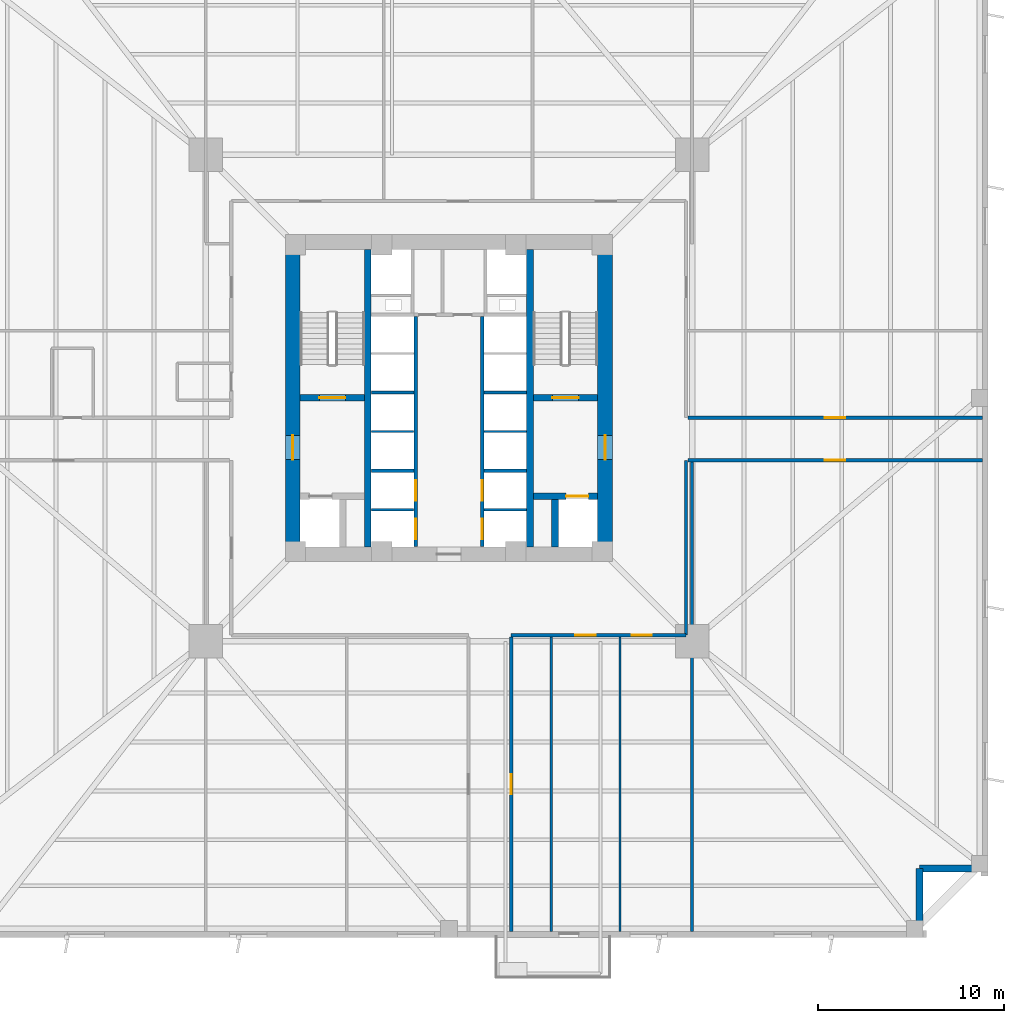
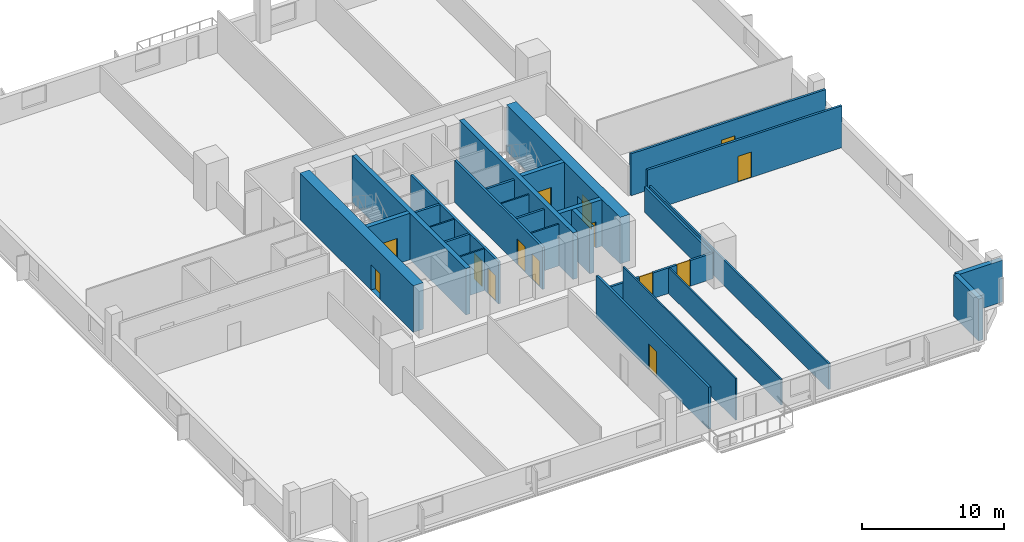
# One storey, part 3 of 8: 28 walls, 14 doors, 14 openings.
"""IFC4 building model written with IfcOpenShell, lengths in metres."""

from ifc_helpers import new_model, si_unit, direction, frame, frame_2d, origin, place, context, subcontext, project, spatial, rectangle, extrude, source, transform, mapped, material, layer, layer_set, type_object, element, fill, save


model = new_model("IFC4")

# Units and contexts
model_context = context("Model", 3, precision=1e-05, world=origin(), true_north=direction((0.0, 1.0)))
body_context = subcontext(model_context, "Body", "Model", "MODEL_VIEW")
ifc_project = project(units=[si_unit("LENGTHUNIT", "METRE"), si_unit("AREAUNIT", "SQUARE_METRE"), si_unit("VOLUMEUNIT", "CUBIC_METRE"), si_unit("PLANEANGLEUNIT", "RADIAN"), si_unit("MASSUNIT", "GRAM", prefix="KILO"), si_unit("THERMODYNAMICTEMPERATUREUNIT", "KELVIN")], contexts=[model_context])

# Site, building, storey
site_placement = place(None, origin())
site = spatial("IfcSite", under=ifc_project, at=site_placement, CompositionType="ELEMENT")
building_placement = place(site_placement, origin())
building = spatial("IfcBuilding", under=site, at=building_placement, Name="Kosmvard Interchange Tower", CompositionType="ELEMENT")
storey_placement = place(building_placement, frame((0.0, 0.0, 74.0)))
storey = spatial("IfcBuildingStorey", under=building, at=storey_placement, Name="L17", CompositionType="ELEMENT", Elevation=74.0)

# Wall
ifc_material_1 = material(Name="Acoustic gypsum partition system")
ifc_layer_1 = layer(ifc_material_1, 0.14990234375, Name="Acoustic gypsum partition system")
ifc_layer_set_1 = layer_set([ifc_layer_1], Name="Acoustic gypsum partition system")
wall_type_1 = type_object("IfcWallType", Name="Acoustic Suite & Meeting Partition 150", PredefinedType="PARTITIONING", material=ifc_layer_set_1)
wall_1_placement = place(storey_placement, frame((13.0810546875, -28.68505859375, 0.0), z_axis=(0.0, 0.0, 1.0), x_axis=(0.0, 1.0, 0.0)))
element("IfcWall", 1, at=wall_1_placement, inside=storey, type_object=wall_type_1, Name="L17 Room Partition 11.1", PredefinedType="PARTITIONING", context=body_context, shape_type="SweptSolid", body=[
    extrude(rectangle(XDim=25.239990234375, YDim=0.14990234375, at=frame_2d((12.6201171875, 0.0))), origin(), (0.0, 0.0, 1.0), 2.199951171875),
])

# Wall, openings, doors
ifc_material_2 = material(Name="Fire-rated gypsum partition system")
ifc_layer_2 = layer(ifc_material_2, 0.179931640625, Name="Fire-rated gypsum partition system")
ifc_layer_set_2 = layer_set([ifc_layer_2], Name="Fire-rated gypsum partition system")
wall_type_2 = type_object("IfcWallType", Name="Corridor & Hotel Compartment Partition 180", PredefinedType="PARTITIONING", material=ifc_layer_set_2)
wall_2_placement = place(storey_placement, frame((-1.7900390625, -7.97998046875, 0.0), z_axis=(0.0, 0.0, 1.0), x_axis=(0.0, 1.0, 0.0)))
wall_2 = element("IfcWall", 2, at=wall_2_placement, inside=storey, type_object=wall_type_2, Name="L17 West Lift Bank Front Wall", PredefinedType="PARTITIONING", context=body_context, shape_type="SweptSolid", body=[
    extrude(rectangle(XDim=12.3798828125, YDim=0.179931640625, at=frame_2d((6.18994140625, 0.0))), origin(), (0.0, 0.0, 1.0), 3.60009765625),
])
opening_1_placement = place(wall_2_placement, frame((0.39990234375, 0.0, 0.0)))
opening_1 = element("IfcOpeningElement", 3, at=opening_1_placement, cuts=wall_2, Name="Opening LD-PL-L1-L17", PredefinedType="OPENING", context=body_context, shape_type="SweptSolid", body=[
    extrude(rectangle(XDim=1.10009765625, YDim=2.199951171875, at=frame_2d((0.550048828125, 1.10009765625))), frame((0.0, 0.10009765625, 0.0), z_axis=(0.0, -1.0, 0.0), x_axis=(1.0, 0.0, 0.0)), (0.0, 0.0, 1.0), 0.199951171875),
])
opening_2_placement = place(wall_2_placement, frame((2.4599609375, 0.0, 0.0)))
opening_2 = element("IfcOpeningElement", 4, at=opening_2_placement, cuts=wall_2, Name="Opening LD-PL-L2-L17", PredefinedType="OPENING", context=body_context, shape_type="SweptSolid", body=[
    extrude(rectangle(XDim=1.10009765625, YDim=2.199951171875, at=frame_2d((0.550048828125, 1.10009765625))), frame((0.0, 0.10009765625, 0.0), z_axis=(0.0, -1.0, 0.0), x_axis=(1.0, 0.0, 0.0)), (0.0, 0.0, 1.0), 0.199951171875),
])
ifc_material_3 = material(Name="Brushed stainless steel sliding leaf", Category="steel")
door_type_1 = type_object("IfcDoorType", Name="Passenger Lift Sliding Landing Door 1100x2200 EI60", OperationType="DOUBLE_DOOR_SLIDING", PredefinedType="DOOR", material=ifc_material_3)
shared_shape_1 = source(origin(), body_context, "Body", "SweptSolid", [
    extrude(rectangle(XDim=1.10009765625, YDim=2.199951171875, at=frame_2d((0.550048828125, 1.10009765625))), frame((0.0, 0.02490234375, 0.0), z_axis=(0.0, -1.0, 0.0), x_axis=(1.0, 0.0, 0.0)), (0.0, 0.0, 1.0), 0.050048828125),
])
door_1_placement = place(opening_1_placement, frame((1.10009765625, 0.0, 0.0), z_axis=(0.0, 0.0, 1.0), x_axis=(-1.0, 0.0, 0.0)))
door_1 = element("IfcDoor", 5, at=door_1_placement, inside=storey, type_object=door_type_1, Name="Lift PL-L1 Landing Door L17", OperationType="DOUBLE_DOOR_SLIDING", OverallHeight=2.199951171875, OverallWidth=1.10009765625, PredefinedType="DOOR", context=body_context, shape_type="MappedRepresentation", body=[
    mapped(shared_shape_1, transform((0.0, 0.0, 0.0), scale=1.0)),
])
fill(opening_1, door_1)
door_2_placement = place(opening_2_placement, frame((1.10009765625, 0.0, 0.0), z_axis=(0.0, 0.0, 1.0), x_axis=(-1.0, 0.0, 0.0)))
door_2 = element("IfcDoor", 6, at=door_2_placement, inside=storey, type_object=door_type_1, Name="Lift PL-L2 Landing Door L17", OperationType="DOUBLE_DOOR_SLIDING", OverallHeight=2.199951171875, OverallWidth=1.10009765625, PredefinedType="DOOR", context=body_context, shape_type="MappedRepresentation", body=[
    mapped(shared_shape_1, transform((0.0, 0.0, 0.0), scale=1.0)),
])
fill(opening_2, door_2)

wall_3_placement = place(storey_placement, frame((1.7900390625, -7.97998046875, 0.0), z_axis=(0.0, 0.0, 1.0), x_axis=(0.0, 1.0, 0.0)))
wall_3 = element("IfcWall", 7, at=wall_3_placement, inside=storey, type_object=wall_type_2, Name="L17 East Lift Bank Front Wall", PredefinedType="PARTITIONING", context=body_context, shape_type="SweptSolid", body=[
    extrude(rectangle(XDim=12.3798828125, YDim=0.179931640625, at=frame_2d((6.18994140625, 0.0))), origin(), (0.0, 0.0, 1.0), 3.60009765625),
])
opening_3_placement = place(wall_3_placement, frame((0.39990234375, 0.0, 0.0)))
opening_3 = element("IfcOpeningElement", 8, at=opening_3_placement, cuts=wall_3, Name="Opening LD-PL-L3-L17", PredefinedType="OPENING", context=body_context, shape_type="SweptSolid", body=[
    extrude(rectangle(XDim=1.10009765625, YDim=2.199951171875, at=frame_2d((0.550048828125, 1.10009765625))), frame((0.0, 0.10009765625, 0.0), z_axis=(0.0, -1.0, 0.0), x_axis=(1.0, 0.0, 0.0)), (0.0, 0.0, 1.0), 0.199951171875),
])
opening_4_placement = place(wall_3_placement, frame((2.4599609375, 0.0, 0.0)))
opening_4 = element("IfcOpeningElement", 9, at=opening_4_placement, cuts=wall_3, Name="Opening LD-PL-L4-L17", PredefinedType="OPENING", context=body_context, shape_type="SweptSolid", body=[
    extrude(rectangle(XDim=1.10009765625, YDim=2.199951171875, at=frame_2d((0.550048828125, 1.10009765625))), frame((0.0, 0.10009765625, 0.0), z_axis=(0.0, -1.0, 0.0), x_axis=(1.0, 0.0, 0.0)), (0.0, 0.0, 1.0), 0.199951171875),
])
door_3_placement = place(opening_3_placement, origin())
door_3 = element("IfcDoor", 10, at=door_3_placement, inside=storey, type_object=door_type_1, Name="Lift PL-L3 Landing Door L17", OperationType="DOUBLE_DOOR_SLIDING", OverallHeight=2.199951171875, OverallWidth=1.10009765625, PredefinedType="DOOR", context=body_context, shape_type="MappedRepresentation", body=[
    mapped(shared_shape_1, transform((0.0, 0.0, 0.0), scale=1.0)),
])
fill(opening_3, door_3)
door_4_placement = place(opening_4_placement, origin())
door_4 = element("IfcDoor", 11, at=door_4_placement, inside=storey, type_object=door_type_1, Name="Lift PL-L4 Landing Door L17", OperationType="DOUBLE_DOOR_SLIDING", OverallHeight=2.199951171875, OverallWidth=1.10009765625, PredefinedType="DOOR", context=body_context, shape_type="MappedRepresentation", body=[
    mapped(shared_shape_1, transform((0.0, 0.0, 0.0), scale=1.0)),
])
fill(opening_4, door_4)

wall_4_placement = place(storey_placement, frame((3.35009765625, -12.75, 0.0), z_axis=(0.0, 0.0, 1.0), x_axis=(1.0, 0.0, 0.0)))
wall_4 = element("IfcWall", 12, at=wall_4_placement, inside=storey, type_object=wall_type_2, Name="L17 Corridor Wall CSE", PredefinedType="PARTITIONING", context=body_context, shape_type="SweptSolid", body=[
    extrude(rectangle(XDim=9.39990234375, YDim=0.179931640625, at=frame_2d((4.699951171875, 0.0))), origin(), (0.0, 0.0, 1.0), 2.199951171875),
])
opening_5_placement = place(wall_4_placement, frame((3.449951171875, 0.0, 0.0)))
opening_5 = element("IfcOpeningElement", 13, at=opening_5_placement, cuts=wall_4, Name="Opening L17-D11", PredefinedType="OPENING", context=body_context, shape_type="SweptSolid", body=[
    extrude(rectangle(XDim=1.10009765625, YDim=2.199951171875, at=frame_2d((0.550048828125, 1.10009765625))), frame((0.0, 0.10009765625, 0.0), z_axis=(0.0, -1.0, 0.0), x_axis=(1.0, 0.0, 0.0)), (0.0, 0.0, 1.0), 0.199951171875),
])
opening_6_placement = place(wall_4_placement, frame((6.470458984375, 0.0, 0.0)))
opening_6 = element("IfcOpeningElement", 14, at=opening_6_placement, cuts=wall_4, Name="Opening L17-D12", PredefinedType="OPENING", context=body_context, shape_type="SweptSolid", body=[
    extrude(rectangle(XDim=1.10009765625, YDim=2.199951171875, at=frame_2d((0.550048828125, 1.10009765625))), frame((0.0, 0.10009765625, 0.0), z_axis=(0.0, -1.0, 0.0), x_axis=(1.0, 0.0, 0.0)), (0.0, 0.0, 1.0), 0.199951171875),
])
ifc_material_4 = material(Name="Engineered oak fire-rated timber", Category="wood")
door_type_2 = type_object("IfcDoorType", Name="Office Suite Entrance Door 1100x2200 FD30S", OperationType="NOTDEFINED", PredefinedType="DOOR", material=ifc_material_4)
door_5_placement = place(opening_5_placement, frame((1.10009765625, 0.0, 0.0), z_axis=(0.0, 0.0, 1.0), x_axis=(-1.0, 0.0, 0.0)))
door_5 = element("IfcDoor", 15, at=door_5_placement, inside=storey, type_object=door_type_2, Name="L17 Equipment Store 2 Door", OperationType="SINGLE_SWING_LEFT", OverallHeight=2.199951171875, OverallWidth=1.10009765625, PredefinedType="DOOR", context=body_context, shape_type="MappedRepresentation", body=[
    mapped(shared_shape_1, transform((0.0, 0.0, 0.0), scale=1.0)),
])
fill(opening_5, door_5)
door_6_placement = place(opening_6_placement, frame((1.10009765625, 0.0, 0.0), z_axis=(0.0, 0.0, 1.0), x_axis=(-1.0, 0.0, 0.0)))
door_6 = element("IfcDoor", 16, at=door_6_placement, inside=storey, type_object=door_type_2, Name="L17 Archive Store 3 Door", OperationType="SINGLE_SWING_RIGHT", OverallHeight=2.199951171875, OverallWidth=1.10009765625, PredefinedType="DOOR", context=body_context, shape_type="MappedRepresentation", body=[
    mapped(shared_shape_1, transform((0.0, 0.0, 0.0), scale=1.0)),
])
fill(opening_6, door_6)

# Wall
wall_5_placement = place(storey_placement, frame((12.75, -12.75, 0.0), z_axis=(0.0, 0.0, 1.0), x_axis=(0.0, 1.0, 0.0)))
element("IfcWall", 17, at=wall_5_placement, inside=storey, type_object=wall_type_2, Name="L17 Corridor Wall CES", PredefinedType="PARTITIONING", context=body_context, shape_type="SweptSolid", body=[
    extrude(rectangle(XDim=9.39990234375, YDim=0.179931640625, at=frame_2d((4.699951171875, 0.0))), origin(), (0.0, 0.0, 1.0), 2.199951171875),
])

# Wall, opening, door
wall_6_placement = place(storey_placement, frame((12.85009765625, -3.35009765625, 0.0), z_axis=(0.0, 0.0, 1.0), x_axis=(1.0, 0.0, 0.0)))
wall_6 = element("IfcWall", 18, at=wall_6_placement, inside=storey, type_object=wall_type_2, Name="L17 Corridor Wall SES", PredefinedType="PARTITIONING", context=body_context, shape_type="SweptSolid", body=[
    extrude(rectangle(XDim=15.8349609375, YDim=0.179931640625, at=frame_2d((7.91748046875, 0.0))), origin(), (0.0, 0.0, 1.0), 3.60009765625),
])
opening_7_placement = place(wall_6_placement, frame((7.367431640625, 0.0, 0.0)))
opening_7 = element("IfcOpeningElement", 19, at=opening_7_placement, cuts=wall_6, Name="Opening L17-D13", PredefinedType="OPENING", context=body_context, shape_type="SweptSolid", body=[
    extrude(rectangle(XDim=1.10009765625, YDim=2.199951171875, at=frame_2d((0.550048828125, 1.10009765625))), frame((0.0, 0.10009765625, 0.0), z_axis=(0.0, -1.0, 0.0), x_axis=(1.0, 0.0, 0.0)), (0.0, 0.0, 1.0), 0.199951171875),
])
door_7_placement = place(opening_7_placement, frame((1.10009765625, 0.0, 0.0), z_axis=(0.0, 0.0, 1.0), x_axis=(-1.0, 0.0, 0.0)))
door_7 = element("IfcDoor", 20, at=door_7_placement, inside=storey, type_object=door_type_2, Name="L17 South-East Open Studio Door", OperationType="SINGLE_SWING_LEFT", OverallHeight=2.199951171875, OverallWidth=1.10009765625, PredefinedType="DOOR", context=body_context, shape_type="MappedRepresentation", body=[
    mapped(shared_shape_1, transform((0.0, 0.0, 0.0), scale=1.0)),
])
fill(opening_7, door_7)

wall_7_placement = place(storey_placement, frame((12.85009765625, -1.050048828125, 0.0), z_axis=(0.0, 0.0, 1.0), x_axis=(1.0, 0.0, 0.0)))
wall_7 = element("IfcWall", 21, at=wall_7_placement, inside=storey, type_object=wall_type_2, Name="L17 Corridor Wall SEN", PredefinedType="PARTITIONING", context=body_context, shape_type="SweptSolid", body=[
    extrude(rectangle(XDim=15.8349609375, YDim=0.179931640625, at=frame_2d((7.91748046875, 0.0))), origin(), (0.0, 0.0, 1.0), 3.60009765625),
])
opening_8_placement = place(wall_7_placement, frame((7.367431640625, 0.0, 0.0)))
opening_8 = element("IfcOpeningElement", 22, at=opening_8_placement, cuts=wall_7, Name="Opening L17-D08", PredefinedType="OPENING", context=body_context, shape_type="SweptSolid", body=[
    extrude(rectangle(XDim=1.10009765625, YDim=2.199951171875, at=frame_2d((0.550048828125, 1.10009765625))), frame((0.0, 0.10009765625, 0.0), z_axis=(0.0, -1.0, 0.0), x_axis=(1.0, 0.0, 0.0)), (0.0, 0.0, 1.0), 0.199951171875),
])
door_8_placement = place(opening_8_placement, origin())
door_8 = element("IfcDoor", 23, at=door_8_placement, inside=storey, type_object=door_type_2, Name="L17 East Operations Office 1 Door", OperationType="SINGLE_SWING_RIGHT", OverallHeight=2.199951171875, OverallWidth=1.10009765625, PredefinedType="DOOR", context=body_context, shape_type="MappedRepresentation", body=[
    mapped(shared_shape_1, transform((0.0, 0.0, 0.0), scale=1.0)),
])
fill(opening_8, door_8)

wall_8_placement = place(storey_placement, frame((3.35009765625, -28.68505859375, 0.0), z_axis=(0.0, 0.0, 1.0), x_axis=(0.0, 1.0, 0.0)))
wall_8 = element("IfcWall", 24, at=wall_8_placement, inside=storey, type_object=wall_type_2, Name="L17 Corridor Wall SSE", PredefinedType="PARTITIONING", context=body_context, shape_type="SweptSolid", body=[
    extrude(rectangle(XDim=15.8349609375, YDim=0.179931640625, at=frame_2d((7.91748046875, 0.0))), origin(), (0.0, 0.0, 1.0), 3.60009765625),
])
opening_9_placement = place(wall_8_placement, frame((7.367431640625, 0.0, 0.0)))
opening_9 = element("IfcOpeningElement", 25, at=opening_9_placement, cuts=wall_8, Name="Opening L17-D10", PredefinedType="OPENING", context=body_context, shape_type="SweptSolid", body=[
    extrude(rectangle(XDim=1.10009765625, YDim=2.199951171875, at=frame_2d((0.550048828125, 1.10009765625))), frame((0.0, 0.10009765625, 0.0), z_axis=(0.0, -1.0, 0.0), x_axis=(1.0, 0.0, 0.0)), (0.0, 0.0, 1.0), 0.199951171875),
])
door_9_placement = place(opening_9_placement, frame((1.10009765625, 0.0, 0.0), z_axis=(0.0, 0.0, 1.0), x_axis=(-1.0, 0.0, 0.0)))
door_9 = element("IfcDoor", 26, at=door_9_placement, inside=storey, type_object=door_type_2, Name="L17 Facility Supplies Store 1 Door", OperationType="SINGLE_SWING_RIGHT", OverallHeight=2.199951171875, OverallWidth=1.10009765625, PredefinedType="DOOR", context=body_context, shape_type="MappedRepresentation", body=[
    mapped(shared_shape_1, transform((0.0, 0.0, 0.0), scale=1.0)),
])
fill(opening_9, door_9)

ifc_material_5 = material(Name="Concrete C80/95", Category="concrete")
ifc_layer_3 = layer(ifc_material_5, 0.800048828125, Name="Concrete C80/95")
ifc_layer_set_3 = layer_set([ifc_layer_3], Name="Concrete C80/95")
wall_type_3 = type_object("IfcWallType", Name="Lower Core Shear Wall 800 C80/95", PredefinedType="SHEAR", material=ifc_layer_set_3)
wall_9_placement = place(storey_placement, frame((-8.39990234375, -8.0, 0.0), z_axis=(0.0, 0.0, 1.0), x_axis=(0.0, 1.0, 0.0)))
wall_9 = element("IfcWall", 27, at=wall_9_placement, inside=storey, type_object=wall_type_3, Name="L17 Core Shear Wall CW-W", PredefinedType="SHEAR", context=body_context, shape_type="SweptSolid", body=[
    extrude(rectangle(XDim=16.0, YDim=0.800048828125, at=frame_2d((8.0, 0.0))), origin(), (0.0, 0.0, 1.0), 4.0),
])
opening_10_placement = place(wall_9_placement, frame((4.68994140625, 0.0, 0.0)))
opening_10 = element("IfcOpeningElement", 28, at=opening_10_placement, cuts=wall_9, Name="Opening L17-FD1", PredefinedType="OPENING", context=body_context, shape_type="SweptSolid", body=[
    extrude(rectangle(XDim=1.300048828125, YDim=2.199951171875, at=frame_2d((0.64990234375, 1.10009765625))), frame((0.0, 0.41015625, 0.0), z_axis=(0.0, -1.0, 0.0), x_axis=(1.0, 0.0, 0.0)), (0.0, 0.0, 1.0), 0.820068359375),
])
ifc_material_6 = material(Name="Painted fire-rated steel leaf", Category="steel")
door_type_3 = type_object("IfcDoorType", Name="Firefighting Lobby Door 1300x2200 EI60", OperationType="NOTDEFINED", PredefinedType="DOOR", material=ifc_material_6)
shared_shape_2 = source(origin(), body_context, "Body", "SweptSolid", [
    extrude(rectangle(XDim=1.300048828125, YDim=2.199951171875, at=frame_2d((0.64990234375, 1.10009765625))), frame((0.0, 0.02490234375, 0.0), z_axis=(0.0, -1.0, 0.0), x_axis=(1.0, 0.0, 0.0)), (0.0, 0.0, 1.0), 0.050048828125),
])
door_10_placement = place(opening_10_placement, frame((1.300048828125, 0.0, 0.0), z_axis=(0.0, 0.0, 1.0), x_axis=(-1.0, 0.0, 0.0)))
door_10 = element("IfcDoor", 29, at=door_10_placement, inside=storey, type_object=door_type_3, Name="L17 Firefighting Lobby West Door", OperationType="SINGLE_SWING_LEFT", OverallHeight=2.199951171875, OverallWidth=1.300048828125, PredefinedType="DOOR", context=body_context, shape_type="MappedRepresentation", body=[
    mapped(shared_shape_2, transform((0.0, 0.0, 0.0), scale=1.0)),
])
fill(opening_10, door_10)

wall_10_placement = place(storey_placement, frame((8.39990234375, -8.0, 0.0), z_axis=(0.0, 0.0, 1.0), x_axis=(0.0, 1.0, 0.0)))
wall_10 = element("IfcWall", 30, at=wall_10_placement, inside=storey, type_object=wall_type_3, Name="L17 Core Shear Wall CW-E", PredefinedType="SHEAR", context=body_context, shape_type="SweptSolid", body=[
    extrude(rectangle(XDim=16.0, YDim=0.800048828125, at=frame_2d((8.0, 0.0))), origin(), (0.0, 0.0, 1.0), 4.0),
])
opening_11_placement = place(wall_10_placement, frame((4.68994140625, 0.0, 0.0)))
opening_11 = element("IfcOpeningElement", 31, at=opening_11_placement, cuts=wall_10, Name="Opening L17-FD2", PredefinedType="OPENING", context=body_context, shape_type="SweptSolid", body=[
    extrude(rectangle(XDim=1.300048828125, YDim=2.199951171875, at=frame_2d((0.64990234375, 1.10009765625))), frame((0.0, 0.41015625, 0.0), z_axis=(0.0, -1.0, 0.0), x_axis=(1.0, 0.0, 0.0)), (0.0, 0.0, 1.0), 0.820068359375),
])
door_11_placement = place(opening_11_placement, origin())
door_11 = element("IfcDoor", 32, at=door_11_placement, inside=storey, type_object=door_type_3, Name="L17 Firefighting Lobby East Door", OperationType="SINGLE_SWING_RIGHT", OverallHeight=2.199951171875, OverallWidth=1.300048828125, PredefinedType="DOOR", context=body_context, shape_type="MappedRepresentation", body=[
    mapped(shared_shape_2, transform((0.0, 0.0, 0.0), scale=1.0)),
])
fill(opening_11, door_11)

# Walls
ifc_material_7 = material(Name="Precast concrete C45/55", Category="concrete")
ifc_layer_4 = layer(ifc_material_7, 0.3798828125, Name="Precast concrete C45/55")
ifc_layer_set_4 = layer_set([ifc_layer_4], Name="Precast concrete C45/55")
wall_type_4 = type_object("IfcWallType", Name="Lower Tower Precast Pier Wall 380 C45/55", PredefinedType="STANDARD", material=ifc_layer_set_4)
wall_11_placement = place(storey_placement, frame((25.31005859375, -28.81005859375, 0.0), z_axis=(0.0, 0.0, 1.0), x_axis=(0.0, 1.0, 0.0)))
element("IfcWall", 33, at=wall_11_placement, inside=storey, type_object=wall_type_4, Name="L17 Precast Facade Wall N-SE1", PredefinedType="STANDARD", context=body_context, shape_type="SweptSolid", body=[
    extrude(rectangle(XDim=3.5, YDim=0.3798828125, at=frame_2d((1.75, 0.0))), origin(), (0.0, 0.0, 1.0), 3.60009765625),
])
wall_12_placement = place(storey_placement, frame((25.31005859375, -25.31005859375, 0.0), z_axis=(0.0, 0.0, 1.0), x_axis=(1.0, 0.0, 0.0)))
element("IfcWall", 34, at=wall_12_placement, inside=storey, type_object=wall_type_4, Name="L17 Precast Facade Wall N-SE2", PredefinedType="STANDARD", context=body_context, shape_type="SweptSolid", body=[
    extrude(rectangle(XDim=3.68994140625, YDim=0.3798828125, at=frame_2d((1.844970703125, 0.0))), origin(), (0.0, 0.0, 1.0), 3.60009765625),
])
ifc_material_8 = material(Name="Gypsum board partition system")
ifc_layer_5 = layer(ifc_material_8, 0.1201171875, Name="Gypsum board partition system")
ifc_layer_set_5 = layer_set([ifc_layer_5], Name="Gypsum board partition system")
wall_type_5 = type_object("IfcWallType", Name="Office Cellular Partition 120", PredefinedType="PARTITIONING", material=ifc_layer_set_5)
wall_13_placement = place(storey_placement, frame((5.5, -28.68505859375, 0.0), z_axis=(0.0, 0.0, 1.0), x_axis=(0.0, 1.0, 0.0)))
element("IfcWall", 35, at=wall_13_placement, inside=storey, type_object=wall_type_5, Name="L17 Room Partition 09.1", PredefinedType="PARTITIONING", context=body_context, shape_type="SweptSolid", body=[
    extrude(rectangle(XDim=15.840087890625, YDim=0.1201171875, at=frame_2d((7.919921875, 0.0))), origin(), (0.0, 0.0, 1.0), 3.60009765625),
])
wall_14_placement = place(storey_placement, frame((9.199951171875, -28.68505859375, 0.0), z_axis=(0.0, 0.0, 1.0), x_axis=(0.0, 1.0, 0.0)))
element("IfcWall", 36, at=wall_14_placement, inside=storey, type_object=wall_type_5, Name="L17 Room Partition 10.1", PredefinedType="PARTITIONING", context=body_context, shape_type="SweptSolid", body=[
    extrude(rectangle(XDim=15.840087890625, YDim=0.1201171875, at=frame_2d((7.919921875, 0.0))), origin(), (0.0, 0.0, 1.0), 2.199951171875),
])
ifc_material_9 = material(Name="Concrete blockwork masonry", Category="masonry")
ifc_layer_6 = layer(ifc_material_9, 0.179931640625, Name="Concrete blockwork masonry")
ifc_layer_set_6 = layer_set([ifc_layer_6], Name="Concrete blockwork masonry")
wall_type_6 = type_object("IfcWallType", Name="Riser & Lift Bank Divider Wall 180", PredefinedType="PARTITIONING", material=ifc_layer_set_6)
for number, where, z_axis, x_axis, name in (
    (37, (-4.169921875, -3.89990234375, 0.0), (0.0, 0.0, 1.0), (1.0, 0.0, 0.0), "L17 West Bank Divider BD1"),
    (38, (1.889892578125, -3.89990234375, 0.0), (0.0, 0.0, 1.0), (1.0, 0.0, 0.0), "L17 East Bank Divider BD1"),
    (39, (-4.169921875, 0.300048828125, 0.0), (0.0, 0.0, 1.0), (1.0, 0.0, 0.0), "L17 West Bank Divider BD2"),
    (40, (1.889892578125, 0.300048828125, 0.0), (0.0, 0.0, 1.0), (1.0, 0.0, 0.0), "L17 East Bank Divider BD2"),
):
    element("IfcWall", number, at=place(storey_placement, frame(where, z_axis=z_axis, x_axis=x_axis)), inside=storey, type_object=wall_type_6, Name=name, PredefinedType="PARTITIONING", context=body_context, shape_type="SweptSolid", body=[
        extrude(rectangle(XDim=2.280029296875, YDim=0.179931640625, at=frame_2d((1.14013671875, 0.0))), origin(), (0.0, 0.0, 1.0), 3.60009765625),
    ])
ifc_material_10 = material(Name="Fire-rated gypsum shaftwall system")
ifc_layer_7 = layer(ifc_material_10, 0.1201171875, Name="Fire-rated gypsum shaftwall system")
ifc_layer_set_7 = layer_set([ifc_layer_7], Name="Fire-rated gypsum shaftwall system")
wall_type_7 = type_object("IfcWallType", Name="Shaft & Riser Fire Partition 120 EI60", PredefinedType="PARTITIONING", material=ifc_layer_set_7)
for number, where, z_axis, x_axis, name in (
    (41, (-4.159912109375, -6.0, 0.0), (0.0, 0.0, 1.0), (1.0, 0.0, 0.0), "L17 Shaft Divider PL-L1"),
    (42, (1.89990234375, -6.0, 0.0), (0.0, 0.0, 1.0), (1.0, 0.0, 0.0), "L17 Shaft Divider PL-L3"),
    (43, (-4.159912109375, -1.800048828125, 0.0), (0.0, 0.0, 1.0), (1.0, 0.0, 0.0), "L17 Shaft Divider PL-M1"),
    (44, (1.89990234375, -1.800048828125, 0.0), (0.0, 0.0, 1.0), (1.0, 0.0, 0.0), "L17 Shaft Divider PL-M3"),
):
    element("IfcWall", number, at=place(storey_placement, frame(where, z_axis=z_axis, x_axis=x_axis)), inside=storey, type_object=wall_type_7, Name=name, PredefinedType="PARTITIONING", context=body_context, shape_type="SweptSolid", body=[
        extrude(rectangle(XDim=2.260009765625, YDim=0.1201171875, at=frame_2d((1.1298828125, 0.0))), origin(), (0.0, 0.0, 1.0), 3.60009765625),
    ])
ifc_material_11 = material(Name="Concrete C60/75", Category="concrete")
ifc_layer_8 = layer(ifc_material_11, 0.360107421875, Name="Concrete C60/75")
ifc_layer_set_8 = layer_set([ifc_layer_8], Name="Concrete C60/75")
wall_type_8 = type_object("IfcWallType", Name="Stair & Lift Shaft Shear Wall 360 C60/75", PredefinedType="SHEAR", material=ifc_layer_set_8)
for number, where, z_axis, x_axis, name in (
    (45, (-4.360107421875, -8.0, 0.0), (0.0, 0.0, 1.0), (0.0, 1.0, 0.0), "L17 Shaft Shear Wall SW-W"),
    (46, (4.360107421875, -8.0, 0.0), (0.0, 0.0, 1.0), (0.0, 1.0, 0.0), "L17 Shaft Shear Wall SW-E"),
):
    element("IfcWall", number, at=place(storey_placement, frame(where, z_axis=z_axis, x_axis=x_axis)), inside=storey, type_object=wall_type_8, Name=name, PredefinedType="SHEAR", context=body_context, shape_type="SweptSolid", body=[
        extrude(rectangle(XDim=16.0, YDim=0.360107421875, at=frame_2d((8.0, 0.0))), origin(), (0.0, 0.0, 1.0), 4.0),
    ])

# Wall, opening, door
wall_15_placement = place(storey_placement, frame((-8.0, 0.02001953125, 0.0), z_axis=(0.0, 0.0, 1.0), x_axis=(1.0, 0.0, 0.0)))
wall_15 = element("IfcWall", 47, at=wall_15_placement, inside=storey, type_object=wall_type_8, Name="L17 Shaft Shear Wall SW-ST1", PredefinedType="SHEAR", context=body_context, shape_type="SweptSolid", body=[
    extrude(rectangle(XDim=3.4599609375, YDim=0.360107421875, at=frame_2d((1.72998046875, 0.0))), origin(), (0.0, 0.0, 1.0), 4.0),
])
opening_12_placement = place(wall_15_placement, frame((1.030029296875, 0.0, 0.0)))
opening_12 = element("IfcOpeningElement", 48, at=opening_12_placement, cuts=wall_15, Name="Opening L17-SD1", PredefinedType="OPENING", context=body_context, shape_type="SweptSolid", body=[
    extrude(rectangle(XDim=1.39990234375, YDim=2.199951171875, at=frame_2d((0.699951171875, 1.10009765625))), frame((0.0, 0.18994140625, 0.0), z_axis=(0.0, -1.0, 0.0), x_axis=(1.0, 0.0, 0.0)), (0.0, 0.0, 1.0), 0.380126953125),
])
door_type_4 = type_object("IfcDoorType", Name="Protected Stair Door 1400x2200 FD60S", OperationType="NOTDEFINED", PredefinedType="DOOR", material=ifc_material_6)
shared_shape_3 = source(origin(), body_context, "Body", "SweptSolid", [
    extrude(rectangle(XDim=1.39990234375, YDim=2.199951171875, at=frame_2d((0.699951171875, 1.10009765625))), frame((0.0, 0.02490234375, 0.0), z_axis=(0.0, -1.0, 0.0), x_axis=(1.0, 0.0, 0.0)), (0.0, 0.0, 1.0), 0.050048828125),
])
door_12_placement = place(opening_12_placement, origin())
door_12 = element("IfcDoor", 49, at=door_12_placement, inside=storey, type_object=door_type_4, Name="L17 Stair ST-1 Enclosure Door", OperationType="SINGLE_SWING_LEFT", OverallHeight=2.199951171875, OverallWidth=1.39990234375, PredefinedType="DOOR", context=body_context, shape_type="MappedRepresentation", body=[
    mapped(shared_shape_3, transform((0.0, 0.0, 0.0), scale=1.0)),
])
fill(opening_12, door_12)

wall_16_placement = place(storey_placement, frame((4.5400390625, 0.02001953125, 0.0), z_axis=(0.0, 0.0, 1.0), x_axis=(1.0, 0.0, 0.0)))
wall_16 = element("IfcWall", 50, at=wall_16_placement, inside=storey, type_object=wall_type_8, Name="L17 Shaft Shear Wall SW-ST2", PredefinedType="SHEAR", context=body_context, shape_type="SweptSolid", body=[
    extrude(rectangle(XDim=3.4599609375, YDim=0.360107421875, at=frame_2d((1.72998046875, 0.0))), origin(), (0.0, 0.0, 1.0), 4.0),
])
opening_13_placement = place(wall_16_placement, frame((1.030029296875, 0.0, 0.0)))
opening_13 = element("IfcOpeningElement", 51, at=opening_13_placement, cuts=wall_16, Name="Opening L17-SD2", PredefinedType="OPENING", context=body_context, shape_type="SweptSolid", body=[
    extrude(rectangle(XDim=1.39990234375, YDim=2.199951171875, at=frame_2d((0.699951171875, 1.10009765625))), frame((0.0, 0.18994140625, 0.0), z_axis=(0.0, -1.0, 0.0), x_axis=(1.0, 0.0, 0.0)), (0.0, 0.0, 1.0), 0.380126953125),
])
door_13_placement = place(opening_13_placement, origin())
door_13 = element("IfcDoor", 52, at=door_13_placement, inside=storey, type_object=door_type_4, Name="L17 Stair ST-2 Enclosure Door", OperationType="SINGLE_SWING_RIGHT", OverallHeight=2.199951171875, OverallWidth=1.39990234375, PredefinedType="DOOR", context=body_context, shape_type="MappedRepresentation", body=[
    mapped(shared_shape_3, transform((0.0, 0.0, 0.0), scale=1.0)),
])
fill(opening_13, door_13)

wall_17_placement = place(storey_placement, frame((4.5400390625, -5.280029296875, 0.0), z_axis=(0.0, 0.0, 1.0), x_axis=(1.0, 0.0, 0.0)))
wall_17 = element("IfcWall", 53, at=wall_17_placement, inside=storey, type_object=wall_type_8, Name="L17 Shaft Shear Wall SW-FF2", PredefinedType="SHEAR", context=body_context, shape_type="SweptSolid", body=[
    extrude(rectangle(XDim=3.4599609375, YDim=0.360107421875, at=frame_2d((1.72998046875, 0.0))), origin(), (0.0, 0.0, 1.0), 4.0),
])
opening_14_placement = place(wall_17_placement, frame((1.760009765625, 0.0, 0.0)))
opening_14 = element("IfcOpeningElement", 54, at=opening_14_placement, cuts=wall_17, Name="Opening LD-FF-2-L17", PredefinedType="OPENING", context=body_context, shape_type="SweptSolid", body=[
    extrude(rectangle(XDim=1.199951171875, YDim=2.25, at=frame_2d((0.60009765625, 1.125))), frame((0.0, 0.18994140625, 0.0), z_axis=(0.0, -1.0, 0.0), x_axis=(1.0, 0.0, 0.0)), (0.0, 0.0, 1.0), 0.380126953125),
])
door_type_5 = type_object("IfcDoorType", Name="Firefighting Lift Sliding Landing Door 1200x2250 EI120", OperationType="DOUBLE_DOOR_SLIDING", PredefinedType="DOOR", material=ifc_material_3)
shared_shape_4 = source(origin(), body_context, "Body", "SweptSolid", [
    extrude(rectangle(XDim=1.199951171875, YDim=2.25, at=frame_2d((0.60009765625, 1.125))), frame((0.0, 0.02490234375, 0.0), z_axis=(0.0, -1.0, 0.0), x_axis=(1.0, 0.0, 0.0)), (0.0, 0.0, 1.0), 0.050048828125),
])
door_14_placement = place(opening_14_placement, origin())
door_14 = element("IfcDoor", 55, at=door_14_placement, inside=storey, type_object=door_type_5, Name="Lift FF-2 Landing Door L17", OperationType="DOUBLE_DOOR_SLIDING", OverallHeight=2.25, OverallWidth=1.199951171875, PredefinedType="DOOR", context=body_context, shape_type="MappedRepresentation", body=[
    mapped(shared_shape_4, transform((0.0, 0.0, 0.0), scale=1.0)),
])
fill(opening_14, door_14)

# Wall
wall_18_placement = place(storey_placement, frame((5.7099609375, -8.0, 0.0), z_axis=(0.0, 0.0, 1.0), x_axis=(0.0, 1.0, 0.0)))
element("IfcWall", 56, at=wall_18_placement, inside=storey, type_object=wall_type_8, Name="L17 Shaft Shear Wall SW-SM2", PredefinedType="SHEAR", context=body_context, shape_type="SweptSolid", body=[
    extrude(rectangle(XDim=2.5400390625, YDim=0.360107421875, at=frame_2d((1.27001953125, 0.0))), origin(), (0.0, 0.0, 1.0), 4.0),
])

save(model, "model.ifc")
